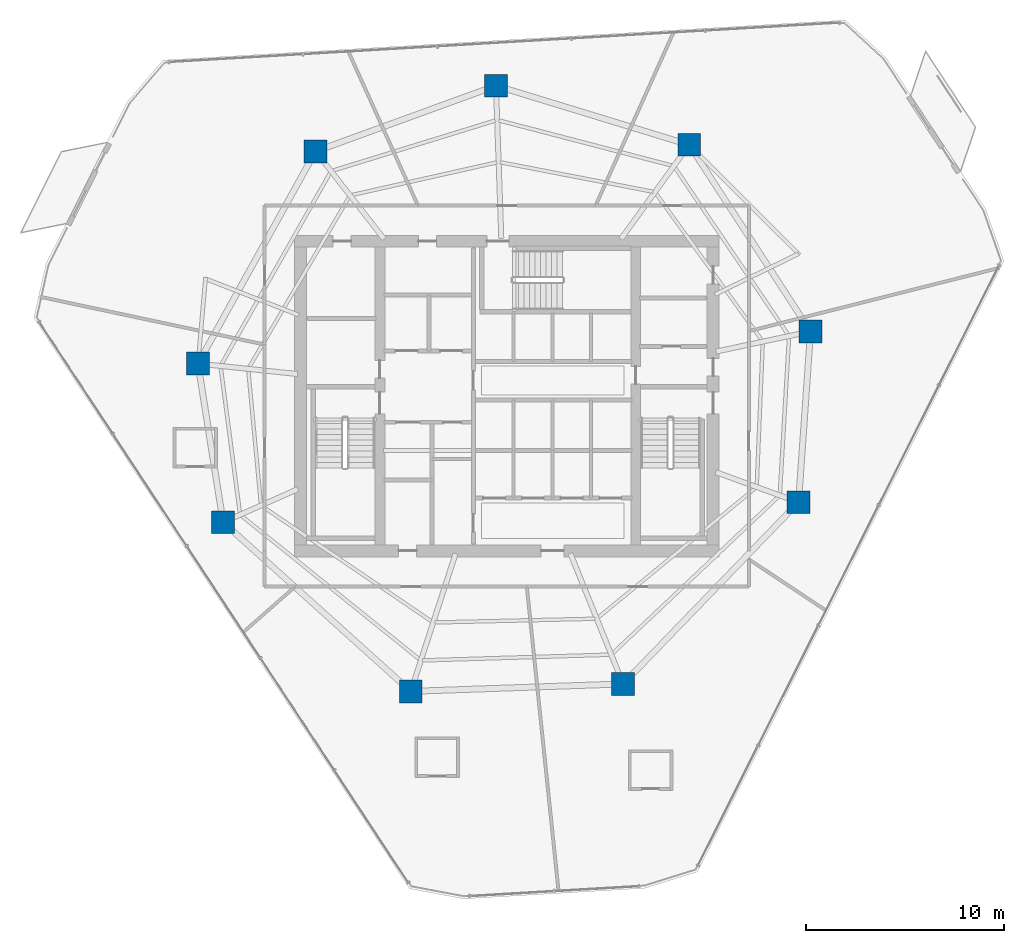
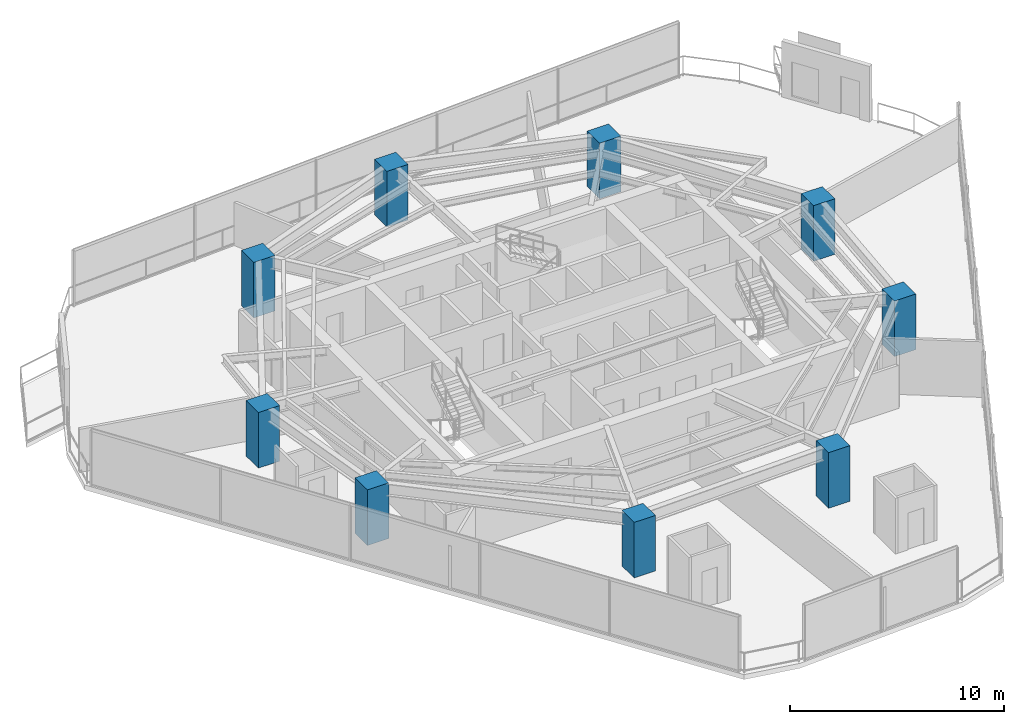
# One storey, part 1 of 30: 9 columns.
"""IFC4 building model written with IfcOpenShell, lengths in metres."""

from ifc_helpers import new_model, si_unit, direction, frame, origin, origin_2d, place, context, subcontext, project, spatial, rectangle, extrude, material, material_profile, profile_set, type_object, element, save


model = new_model("IFC4")

# Units and contexts
model_context = context("Model", 3, precision=1e-05, world=origin(), true_north=direction((0.0, 1.0)))
body_context = subcontext(model_context, "Body", "Model", "MODEL_VIEW")
ifc_project = project(units=[si_unit("LENGTHUNIT", "METRE"), si_unit("AREAUNIT", "SQUARE_METRE"), si_unit("VOLUMEUNIT", "CUBIC_METRE"), si_unit("PLANEANGLEUNIT", "RADIAN"), si_unit("MASSUNIT", "GRAM", prefix="KILO")], contexts=[model_context])

# Site, building, storey
site_placement = place(None, origin())
site = spatial("IfcSite", under=ifc_project, at=site_placement, CompositionType="ELEMENT")
building_placement = place(site_placement, origin())
building = spatial("IfcBuilding", under=site, at=building_placement, Name="Qarnah Convention Tower", CompositionType="ELEMENT")
storey_placement = place(building_placement, frame((0.0, 0.0, 79.800048828125)))
storey = spatial("IfcBuildingStorey", under=building, at=storey_placement, Name="L20", CompositionType="ELEMENT", Elevation=79.800048828125)

# Columns
ifc_material = material(Name="Concrete C60/75", Category="concrete")
ifc_material_profile = material_profile(ifc_material, rectangle(XDim=1.14990234375, YDim=1.14990234375, at=origin_2d()), Name="RC-COL-1150X1150")
ifc_profile_set = profile_set([ifc_material_profile], Name="Concrete C60/75")
column_type = type_object("IfcColumnType", Name="COL-Z2-1150", PredefinedType="COLUMN", material=ifc_profile_set)
for number, where, z_axis, x_axis, name in (
    (1, (52.508056640625, 29.654052734375, 0.0), (0.0, 0.0, 1.0), (1.0, 0.0, 0.0), "L20 plumb column PC-Z2-01"),
    (2, (46.39892578125, 39.06103515625, 0.0), (0.0, 0.0, 1.0), (1.0, 0.0, 0.0), "L20 plumb column PC-Z2-02"),
    (3, (36.654052734375, 42.0400390625, 0.0), (0.0, 0.0, 1.0), (1.0, 0.0, 0.0), "L20 plumb column PC-Z2-03"),
    (4, (27.56494140625, 38.73193359375, 0.0), (0.0, 0.0, 1.0), (1.0, 0.0, 0.0), "L20 plumb column PC-Z2-04"),
    (5, (21.635986328125, 28.035888671875, 0.0), (0.0, 0.0, 1.0), (1.0, 0.0, 0.0), "L20 plumb column PC-Z2-05"),
    (6, (22.903076171875, 20.034912109375, 0.0), (0.0, 0.0, 1.0), (1.0, 0.0, 0.0), "L20 plumb column PC-Z2-06"),
    (7, (32.364013671875, 11.51611328125, 0.0), (0.0, 0.0, 1.0), (1.0, 0.0, 0.0), "L20 plumb column PC-Z2-07"),
    (8, (43.06298828125, 11.889892578125, 0.0), (0.0, 0.0, 1.0), (1.0, 0.0, 0.0), "L20 plumb column PC-Z2-08"),
    (9, (51.906005859375, 21.047119140625, 0.0), (0.0, 0.0, 1.0), (1.0, 0.0, 0.0), "L20 plumb column PC-Z2-09"),
):
    element("IfcColumn", number, at=place(storey_placement, frame(where, z_axis=z_axis, x_axis=x_axis)), inside=storey, type_object=column_type, Name=name, PredefinedType="COLUMN", context=body_context, shape_type="SweptSolid", body=[
        extrude(rectangle(XDim=1.14990234375, YDim=1.14990234375, at=origin_2d()), origin(), (0.0, 0.0, 1.0), 3.169921875),
    ])

save(model, "model.ifc")
